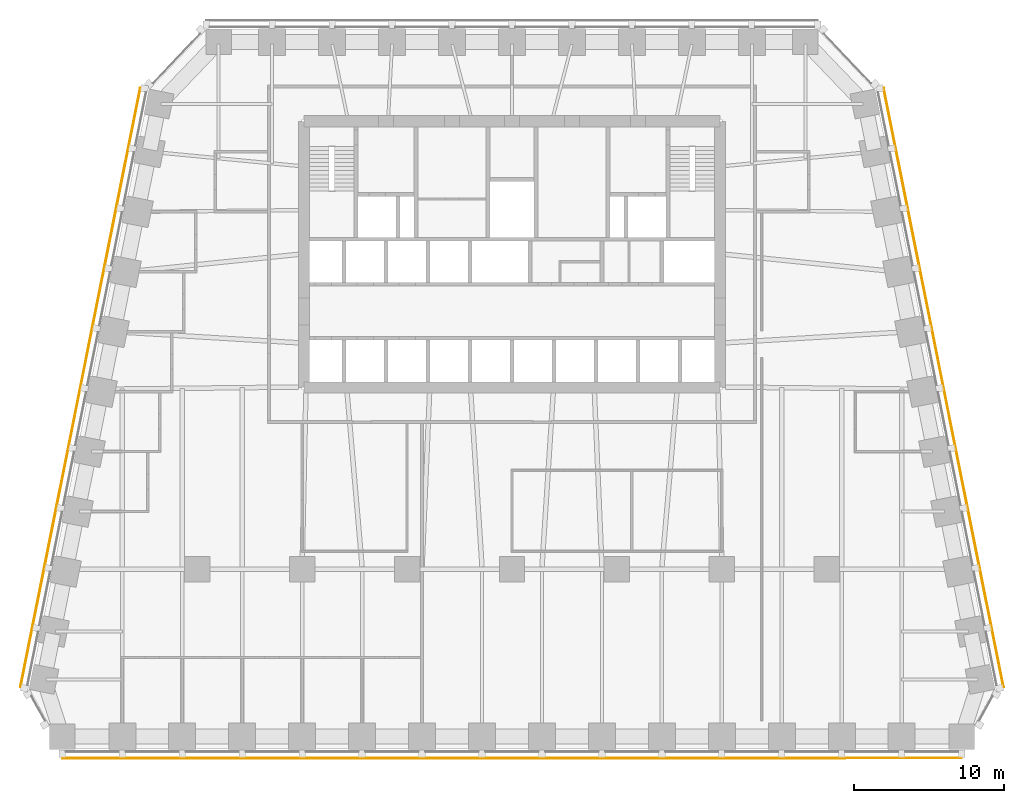
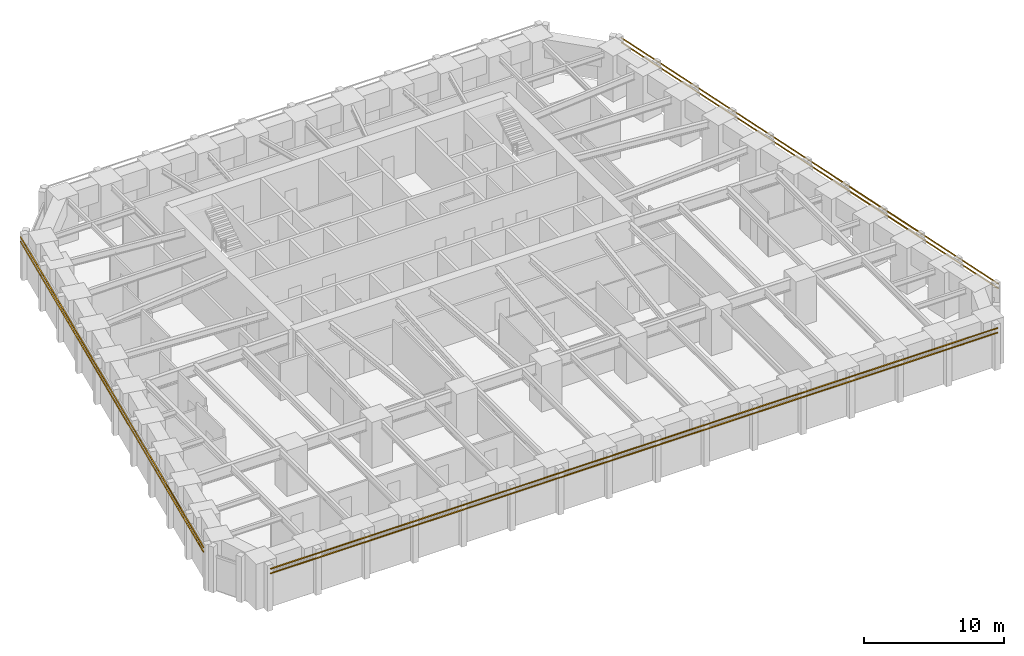
# One storey, part 9 of 10: 6 shading devices.
"""IFC4 building model written with IfcOpenShell, lengths in metres."""

from ifc_helpers import new_model, si_unit, direction, frame, origin, origin_2d, place, context, subcontext, project, spatial, rectangle, extrude, material, material_profile, profile_set, type_object, element, save


model = new_model("IFC4")

# Units and contexts
model_context = context("Model", 3, precision=1e-05, world=origin(), true_north=direction((0.0, 1.0)))
body_context = subcontext(model_context, "Body", "Model", "MODEL_VIEW")
ifc_project = project(units=[si_unit("LENGTHUNIT", "METRE"), si_unit("AREAUNIT", "SQUARE_METRE"), si_unit("VOLUMEUNIT", "CUBIC_METRE"), si_unit("PLANEANGLEUNIT", "RADIAN"), si_unit("MASSUNIT", "GRAM", prefix="KILO")], contexts=[model_context])

# Site, building, storey
site_placement = place(None, origin())
site = spatial("IfcSite", under=ifc_project, at=site_placement, CompositionType="ELEMENT")
building_placement = place(site_placement, origin())
building = spatial("IfcBuilding", under=site, at=building_placement, Name="Isbrekke Arena Tower", CompositionType="ELEMENT")
storey_placement = place(building_placement, frame((0.0, 0.0, 107.0)))
storey = spatial("IfcBuildingStorey", under=building, at=storey_placement, Name="L23", CompositionType="ELEMENT", Elevation=107.0)

# Shading devices
ifc_material = material(Name="Terracotta", Category="masonry")
ifc_material_profile = material_profile(ifc_material, rectangle(XDim=0.06005859375, YDim=0.06005859375, at=origin_2d()), Name="BAGUETTE 60X60")
ifc_profile_set = profile_set([ifc_material_profile], Name="Terracotta")
shading_device_type = type_object("IfcShadingDeviceType", Name="BG1 TERRACOTTA BAGUETTE 60 x 60", PredefinedType="USERDEFINED", material=ifc_profile_set)
for number, where, z_axis, x_axis, name in (
    (1, (-30.0, -18.60498046875, 3.280029296875), (1.0, 0.0, 0.0), (0.0, 1.0, 0.0), "BG1 terracotta baguette S1 L23"),
    (2, (-30.0, -18.60498046875, 3.679931640625), (1.0, 0.0, 0.0), (0.0, 1.0, 0.0), "BG1 terracotta baguette S2 L23"),
):
    element("IfcShadingDevice", number, at=place(storey_placement, frame(where, z_axis=z_axis, x_axis=x_axis)), inside=storey, type_object=shading_device_type, Name=name, ObjectType="TERRACOTTA BAGUETTE", PredefinedType="USERDEFINED", context=body_context, shape_type="SweptSolid", body=[
        extrude(rectangle(XDim=0.06005859375, YDim=0.06005859375, at=origin_2d()), origin(), (0.0, 0.0, 1.0), 60.0),
    ])
for number, where, z_axis, x_axis, name in (
    (3, (32.793212890625, -13.88134765625, 3.280029296875), (-0.196116135138, 0.980580675691, 0.0), (-0.980580675691, -0.196116135138, 0.0), "BG1 terracotta baguette E1 L23"),
    (4, (32.793212890625, -13.88134765625, 3.679931640625), (-0.196116135138, 0.980580675691, 0.0), (-0.980580675691, -0.196116135138, 0.0), "BG1 terracotta baguette E2 L23"),
    (5, (-24.793212890625, 26.11865234375, 3.280029296875), (-0.196116135138, -0.980580675691, 0.0), (0.980580675691, -0.196116135138, 0.0), "BG1 terracotta baguette W1 L23"),
    (6, (-24.793212890625, 26.11865234375, 3.679931640625), (-0.196116135138, -0.980580675691, 0.0), (0.980580675691, -0.196116135138, 0.0), "BG1 terracotta baguette W2 L23"),
):
    element("IfcShadingDevice", number, at=place(storey_placement, frame(where, z_axis=z_axis, x_axis=x_axis)), inside=storey, type_object=shading_device_type, Name=name, ObjectType="TERRACOTTA BAGUETTE", PredefinedType="USERDEFINED", context=body_context, shape_type="SweptSolid", body=[
        extrude(rectangle(XDim=0.06005859375, YDim=0.06005859375, at=origin_2d()), origin(), (0.0, 0.0, 1.0), 40.792236328125),
    ])

save(model, "model.ifc")
